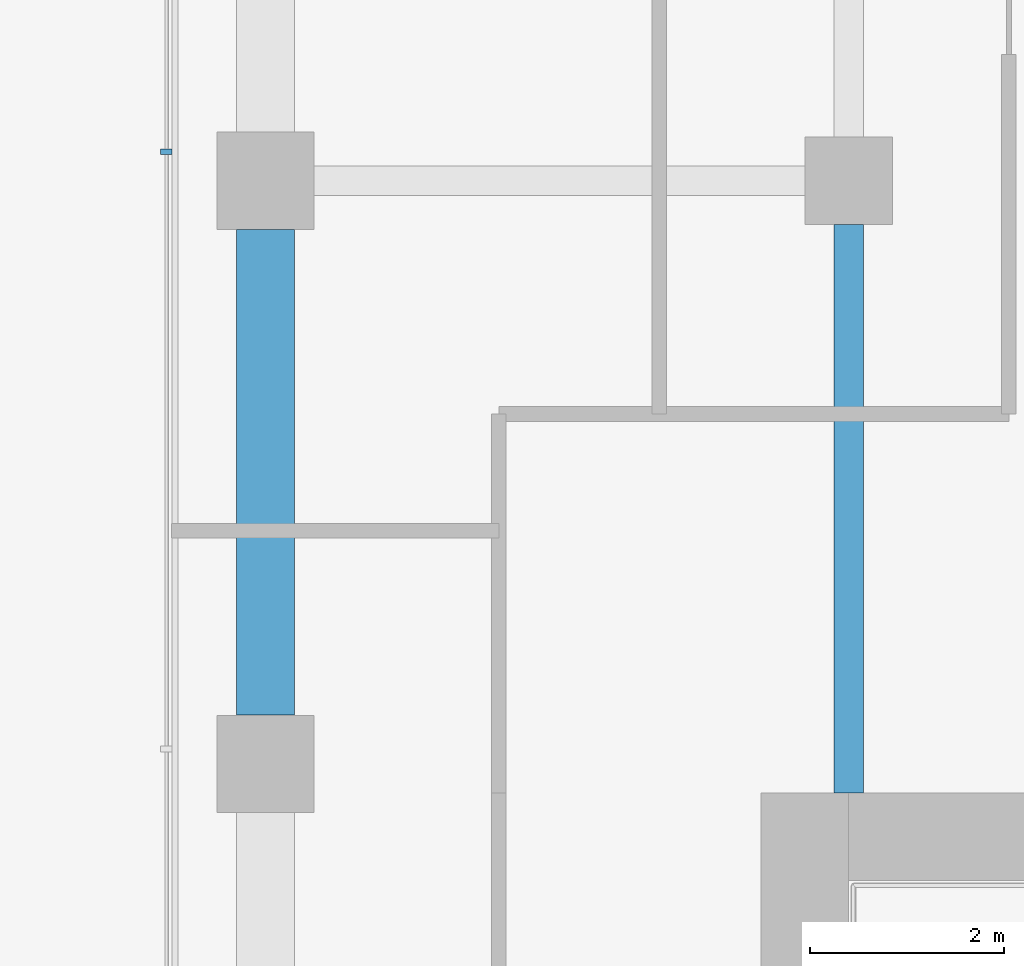
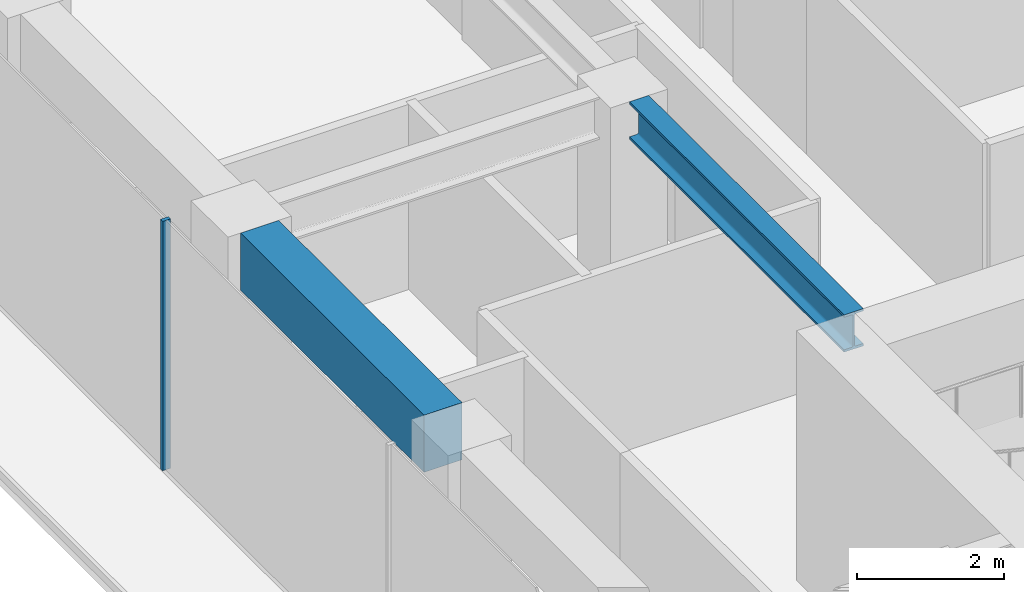
# One storey, part 11 of 24: 2 beams, 1 member, 1 element without a shape of its own.
"""IFC4 building model written with IfcOpenShell, lengths in metres."""

from ifc_helpers import new_model, si_unit, direction, frame, origin, origin_2d, place, context, subcontext, project, spatial, rectangle, i_section, extrude, material, layer, layer_set, material_profile, profile_set, type_object, element, aggregate, save


model = new_model("IFC4")

# Units and contexts
model_context = context("Model", 3, precision=1e-05, world=origin(), true_north=direction((0.0, 1.0)))
body_context = subcontext(model_context, "Body", "Model", "MODEL_VIEW")
ifc_project = project(units=[si_unit("LENGTHUNIT", "METRE"), si_unit("AREAUNIT", "SQUARE_METRE"), si_unit("VOLUMEUNIT", "CUBIC_METRE"), si_unit("PLANEANGLEUNIT", "RADIAN"), si_unit("MASSUNIT", "GRAM", prefix="KILO")], contexts=[model_context])

# Site, building, storey
site_placement = place(None, origin())
site = spatial("IfcSite", under=ifc_project, at=site_placement, CompositionType="ELEMENT")
building_placement = place(site_placement, origin())
building = spatial("IfcBuilding", under=site, at=building_placement, Name="Welwitschia Terrace Campus", CompositionType="ELEMENT")
storey_placement = place(building_placement, frame((0.0, 0.0, 20.0)))
storey = spatial("IfcBuildingStorey", under=building, at=storey_placement, Name="L04", CompositionType="ELEMENT", Elevation=20.0)

# Beam
ifc_material_1 = material(Name="Steel S355", Category="steel")
ifc_material_profile_1 = material_profile(ifc_material_1, i_section(OverallWidth=0.304931640625, OverallDepth=0.6201171875, WebThickness=0.02099609375, FlangeThickness=0.0400390625, FilletRadius=0.027099609375, at=origin_2d()))
ifc_profile_set_1 = profile_set([ifc_material_profile_1], Name="Steel S355")
beam_type_1 = type_object("IfcBeamType", Name="Interior girder HE 600 M", PredefinedType="BEAM", material=ifc_profile_set_1)
beam_1_placement = place(storey_placement, frame((6.0, 25.700927734375, 3.840087890625), z_axis=(0.0, 1.0, 0.0), x_axis=(-1.0, 0.0, 0.0)))
element("IfcBeam", 1, at=beam_1_placement, inside=storey, type_object=beam_type_1, Name="Girder GB1", PredefinedType="BEAM", context=body_context, shape_type="SweptSolid", body=[
    extrude(i_section(OverallWidth=0.304931640625, OverallDepth=0.6201171875, WebThickness=0.02099609375, FlangeThickness=0.0400390625, FilletRadius=0.027099609375, at=origin_2d()), origin(), (0.0, 0.0, 1.0), 5.8486328125),
])

# Curtain wall, member
ifc_material_2 = material(Name="Bronze anodised aluminium", Category="aluminium")
ifc_layer = layer(ifc_material_2, 0.1201171875)
ifc_layer_set = layer_set([ifc_layer], Name="Bronze anodised aluminium")
curtain_wall_type = type_object("IfcCurtainWallType", Name="Curtain wall CW2 tower 6000", PredefinedType="NOTDEFINED", material=ifc_layer_set)
curtain_wall_placement = place(storey_placement, origin())
curtain_wall = element("IfcCurtainWall", 2, at=curtain_wall_placement, inside=storey, type_object=curtain_wall_type, Name="CW L04.9.0", PredefinedType="NOTDEFINED")
ifc_material_3 = material(Name="Bronze anodised aluminium", Category="aluminium")
ifc_material_profile_2 = material_profile(ifc_material_3, rectangle(XDim=0.1201171875, YDim=0.06005859375, at=origin_2d()))
ifc_profile_set_2 = profile_set([ifc_material_profile_2], Name="Bronze anodised aluminium")
member_type = type_object("IfcMemberType", Name="Mullion 60x120", PredefinedType="MULLION", material=ifc_profile_set_2)
member_placement = place(storey_placement, frame((-1.02001953125, 32.298828125, 0.0), z_axis=(0.0, 0.0, 1.0), x_axis=(1.0, 0.0, 0.0)))
member = element("IfcMember", 3, at=member_placement, type_object=member_type, Name="Mullion L04.9.0.5", PredefinedType="MULLION", context=body_context, shape_type="SweptSolid", body=[
    extrude(rectangle(XDim=0.1201171875, YDim=0.06005859375, at=origin_2d()), origin(), (0.0, 0.0, 1.0), 4.14990234375),
])
aggregate(curtain_wall, [member])

# Beam
ifc_material_4 = material(Name="Concrete C60/75", Category="concrete")
ifc_material_profile_3 = material_profile(ifc_material_4, rectangle(XDim=0.60009765625, YDim=0.949951171875, at=origin_2d()))
ifc_profile_set_3 = profile_set([ifc_material_profile_3], Name="Concrete C60/75")
beam_type_2 = type_object("IfcBeamType", Name="Ring spandrel 600x950", PredefinedType="SPANDREL", material=ifc_profile_set_3)
beam_2_placement = place(storey_placement, frame((0.0, 31.49951171875, 3.675048828125), z_axis=(0.0, -1.0, 0.0), x_axis=(1.0, 0.0, 0.0)))
element("IfcBeam", 4, at=beam_2_placement, inside=storey, type_object=beam_type_2, Name="Spandrel SP1", PredefinedType="SPANDREL", context=body_context, shape_type="SweptSolid", body=[
    extrude(rectangle(XDim=0.60009765625, YDim=0.949951171875, at=origin_2d()), origin(), (0.0, 0.0, 1.0), 4.9990234375),
])

save(model, "model.ifc")
